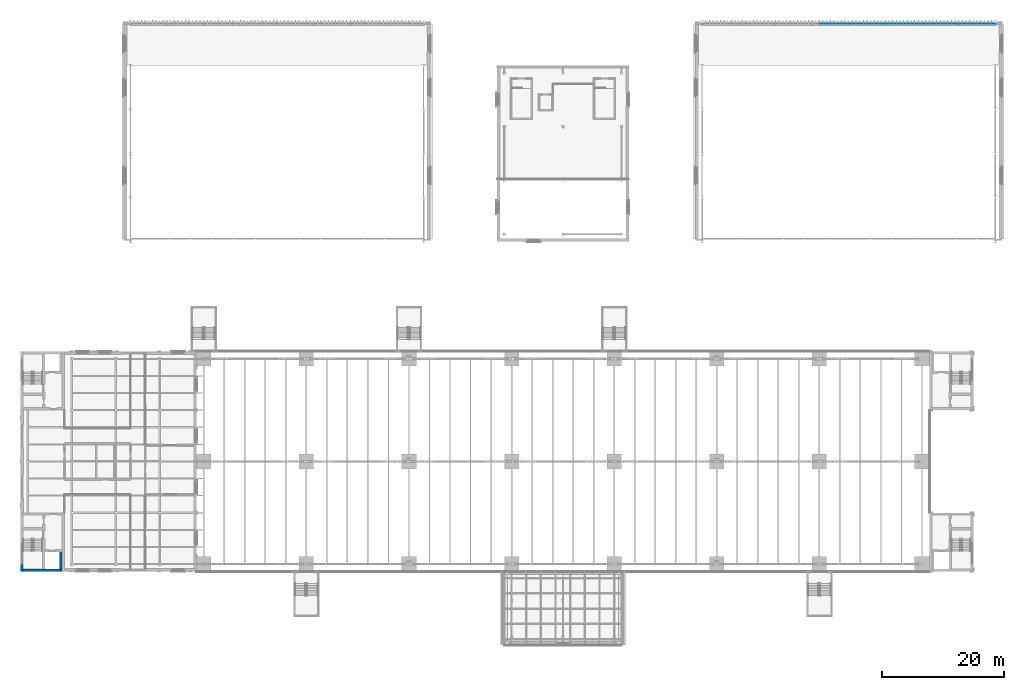
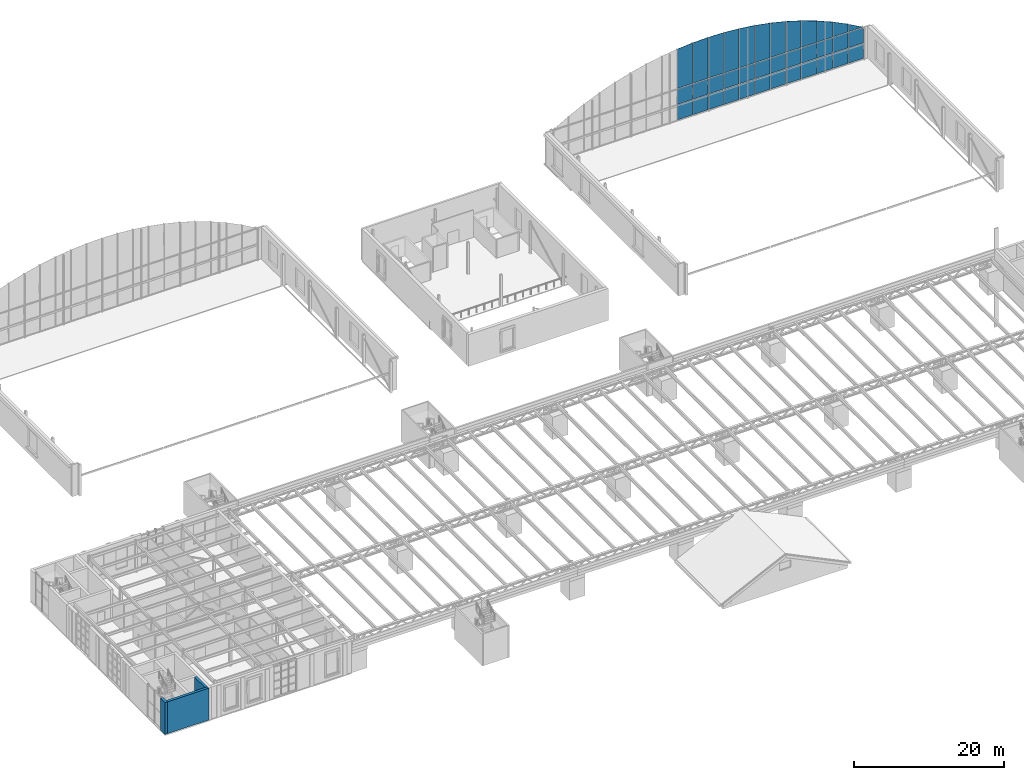
# One storey, part 53 of 93: 36 plates, 3 walls, 1 element without a shape of its own.
"""IFC4 building model written with IfcOpenShell, lengths in metres."""

from ifc_helpers import new_model, si_unit, direction, frame, frame_2d, origin, origin_2d, place, context, subcontext, project, spatial, polyline, rectangle, outline, extrude, material, layer, layer_set, type_object, element, aggregate, save


model = new_model("IFC4")

# Units and contexts
model_context = context("Model", 3, precision=1e-05, world=origin(), true_north=direction((0.0, 1.0)))
body_context = subcontext(model_context, "Body", "Model", "MODEL_VIEW")
ifc_project = project(units=[si_unit("LENGTHUNIT", "METRE"), si_unit("AREAUNIT", "SQUARE_METRE"), si_unit("VOLUMEUNIT", "CUBIC_METRE"), si_unit("PLANEANGLEUNIT", "RADIAN"), si_unit("MASSUNIT", "GRAM", prefix="KILO")], contexts=[model_context])

# Site, building, storey
site_placement = place(None, origin())
site = spatial("IfcSite", under=ifc_project, at=site_placement, CompositionType="ELEMENT")
building_placement = place(site_placement, origin())
building = spatial("IfcBuilding", under=site, at=building_placement, Name="Verrick Yard Athletic Hall", CompositionType="ELEMENT")
storey_placement = place(building_placement, frame((0.0, 0.0, 8.800048828125)))
storey = spatial("IfcBuildingStorey", under=building, at=storey_placement, Name="L02", CompositionType="ELEMENT", Elevation=8.800048828125)

# Curtain wall, plates
ifc_material_1 = material(Name="Anodised aluminium", Category="aluminium")
ifc_layer_1 = layer(ifc_material_1, 0.199951171875)
ifc_layer_set_1 = layer_set([ifc_layer_1], Name="Gable glazing")
curtain_wall_type = type_object("IfcCurtainWallType", Name="Gable glazing", PredefinedType="NOTDEFINED", material=ifc_layer_set_1)
curtain_wall_placement = place(storey_placement, origin())
curtain_wall = element("IfcCurtainWall", 1, at=curtain_wall_placement, inside=storey, type_object=curtain_wall_type, Name="Gable curtain wall AN", PredefinedType="NOTDEFINED")
ifc_material_2 = material(Name="Glass IGU low-e", Category="glass")
ifc_layer_2 = layer(ifc_material_2, 0.03125)
ifc_layer_set_2 = layer_set([ifc_layer_2], Name="Glazing panel 31")
plate_type = type_object("IfcPlateType", Name="Glazing panel 31", PredefinedType="CURTAIN_PANEL", material=ifc_layer_set_2)
plate_1_placement = place(storey_placement, frame((142.0, 107.681640625, 0.119873046875), z_axis=(0.0, 0.0, 1.0), x_axis=(1.0, 0.0, 0.0)))
plate_1 = element("IfcPlate", 2, at=plate_1_placement, type_object=plate_type, Name="ENVB-HAN-CW/P08-00", PredefinedType="CURTAIN_PANEL", context=body_context, shape_type="SweptSolid", body=[
    extrude(rectangle(XDim=2.340087890625, YDim=0.03125, at=origin_2d()), origin(), (0.0, 0.0, 1.0), 2.419921875),
])
plate_2_placement = place(storey_placement, frame((142.0, 107.681640625, 2.659912109375), z_axis=(0.0, 0.0, 1.0), x_axis=(1.0, 0.0, 0.0)))
plate_2 = element("IfcPlate", 3, at=plate_2_placement, type_object=plate_type, Name="ENVB-HAN-CW/P08-01", PredefinedType="CURTAIN_PANEL", context=body_context, shape_type="SweptSolid", body=[
    extrude(rectangle(XDim=2.340087890625, YDim=0.03125, at=origin_2d()), origin(), (0.0, 0.0, 1.0), 2.47998046875),
])
plate_3_placement = place(storey_placement, frame((144.39990234375, 107.681640625, 0.119873046875), z_axis=(0.0, 0.0, 1.0), x_axis=(1.0, 0.0, 0.0)))
plate_3 = element("IfcPlate", 4, at=plate_3_placement, type_object=plate_type, Name="ENVB-HAN-CW/P09-00", PredefinedType="CURTAIN_PANEL", context=body_context, shape_type="SweptSolid", body=[
    extrude(rectangle(XDim=2.340087890625, YDim=0.03125, at=origin_2d()), origin(), (0.0, 0.0, 1.0), 2.419921875),
])
plate_4_placement = place(storey_placement, frame((144.39990234375, 107.681640625, 2.659912109375), z_axis=(0.0, 0.0, 1.0), x_axis=(1.0, 0.0, 0.0)))
plate_4 = element("IfcPlate", 5, at=plate_4_placement, type_object=plate_type, Name="ENVB-HAN-CW/P09-01", PredefinedType="CURTAIN_PANEL", context=body_context, shape_type="SweptSolid", body=[
    extrude(rectangle(XDim=2.340087890625, YDim=0.03125, at=origin_2d()), origin(), (0.0, 0.0, 1.0), 2.47998046875),
])
plate_5_placement = place(storey_placement, frame((146.800048828125, 107.681640625, 0.119873046875), z_axis=(0.0, 0.0, 1.0), x_axis=(1.0, 0.0, 0.0)))
plate_5 = element("IfcPlate", 6, at=plate_5_placement, type_object=plate_type, Name="ENVB-HAN-CW/P10-00", PredefinedType="CURTAIN_PANEL", context=body_context, shape_type="SweptSolid", body=[
    extrude(rectangle(XDim=2.340087890625, YDim=0.03125, at=origin_2d()), origin(), (0.0, 0.0, 1.0), 2.419921875),
])
plate_6_placement = place(storey_placement, frame((146.800048828125, 107.681640625, 2.659912109375), z_axis=(0.0, 0.0, 1.0), x_axis=(1.0, 0.0, 0.0)))
plate_6 = element("IfcPlate", 7, at=plate_6_placement, type_object=plate_type, Name="ENVB-HAN-CW/P10-01", PredefinedType="CURTAIN_PANEL", context=body_context, shape_type="SweptSolid", body=[
    extrude(rectangle(XDim=2.340087890625, YDim=0.03125, at=origin_2d()), origin(), (0.0, 0.0, 1.0), 2.47998046875),
])
plate_7_placement = place(storey_placement, frame((149.199951171875, 107.681640625, 0.119873046875), z_axis=(0.0, 0.0, 1.0), x_axis=(1.0, 0.0, 0.0)))
plate_7 = element("IfcPlate", 8, at=plate_7_placement, type_object=plate_type, Name="ENVB-HAN-CW/P11-00", PredefinedType="CURTAIN_PANEL", context=body_context, shape_type="SweptSolid", body=[
    extrude(rectangle(XDim=2.340087890625, YDim=0.03125, at=origin_2d()), origin(), (0.0, 0.0, 1.0), 2.419921875),
])
plate_8_placement = place(storey_placement, frame((149.199951171875, 107.681640625, 2.659912109375), z_axis=(0.0, 0.0, 1.0), x_axis=(1.0, 0.0, 0.0)))
plate_8 = element("IfcPlate", 9, at=plate_8_placement, type_object=plate_type, Name="ENVB-HAN-CW/P11-01", PredefinedType="CURTAIN_PANEL", context=body_context, shape_type="SweptSolid", body=[
    extrude(rectangle(XDim=2.340087890625, YDim=0.03125, at=origin_2d()), origin(), (0.0, 0.0, 1.0), 2.47998046875),
])
plate_9_placement = place(storey_placement, frame((151.60009765625, 107.681640625, 0.119873046875), z_axis=(0.0, 0.0, 1.0), x_axis=(1.0, 0.0, 0.0)))
plate_9 = element("IfcPlate", 10, at=plate_9_placement, type_object=plate_type, Name="ENVB-HAN-CW/P12-00", PredefinedType="CURTAIN_PANEL", context=body_context, shape_type="SweptSolid", body=[
    extrude(rectangle(XDim=2.340087890625, YDim=0.03125, at=origin_2d()), origin(), (0.0, 0.0, 1.0), 2.419921875),
])
plate_10_placement = place(storey_placement, frame((151.60009765625, 107.681640625, 2.659912109375), z_axis=(0.0, 0.0, 1.0), x_axis=(1.0, 0.0, 0.0)))
plate_10 = element("IfcPlate", 11, at=plate_10_placement, type_object=plate_type, Name="ENVB-HAN-CW/P12-01", PredefinedType="CURTAIN_PANEL", context=body_context, shape_type="SweptSolid", body=[
    extrude(rectangle(XDim=2.340087890625, YDim=0.03125, at=origin_2d()), origin(), (0.0, 0.0, 1.0), 2.47998046875),
])
plate_11_placement = place(storey_placement, frame((154.0, 107.681640625, 0.119873046875), z_axis=(0.0, 0.0, 1.0), x_axis=(1.0, 0.0, 0.0)))
plate_11 = element("IfcPlate", 12, at=plate_11_placement, type_object=plate_type, Name="ENVB-HAN-CW/P13-00", PredefinedType="CURTAIN_PANEL", context=body_context, shape_type="SweptSolid", body=[
    extrude(rectangle(XDim=2.340087890625, YDim=0.03125, at=origin_2d()), origin(), (0.0, 0.0, 1.0), 2.419921875),
])
plate_12_placement = place(storey_placement, frame((154.0, 107.681640625, 2.659912109375), z_axis=(0.0, 0.0, 1.0), x_axis=(1.0, 0.0, 0.0)))
plate_12 = element("IfcPlate", 13, at=plate_12_placement, type_object=plate_type, Name="ENVB-HAN-CW/P13-01", PredefinedType="CURTAIN_PANEL", context=body_context, shape_type="SweptSolid", body=[
    extrude(rectangle(XDim=2.340087890625, YDim=0.03125, at=origin_2d()), origin(), (0.0, 0.0, 1.0), 2.47998046875),
])
plate_13_placement = place(storey_placement, frame((156.39990234375, 107.681640625, 0.119873046875), z_axis=(0.0, 0.0, 1.0), x_axis=(1.0, 0.0, 0.0)))
plate_13 = element("IfcPlate", 14, at=plate_13_placement, type_object=plate_type, Name="ENVB-HAN-CW/P14-00", PredefinedType="CURTAIN_PANEL", context=body_context, shape_type="SweptSolid", body=[
    extrude(rectangle(XDim=2.340087890625, YDim=0.03125, at=origin_2d()), origin(), (0.0, 0.0, 1.0), 2.419921875),
])
plate_14_placement = place(storey_placement, frame((156.39990234375, 107.681640625, 2.659912109375), z_axis=(0.0, 0.0, 1.0), x_axis=(1.0, 0.0, 0.0)))
plate_14 = element("IfcPlate", 15, at=plate_14_placement, type_object=plate_type, Name="ENVB-HAN-CW/P14-01", PredefinedType="CURTAIN_PANEL", context=body_context, shape_type="SweptSolid", body=[
    extrude(rectangle(XDim=2.340087890625, YDim=0.03125, at=origin_2d()), origin(), (0.0, 0.0, 1.0), 2.47998046875),
])
plate_15_placement = place(storey_placement, frame((158.800048828125, 107.681640625, 0.119873046875), z_axis=(0.0, 0.0, 1.0), x_axis=(1.0, 0.0, 0.0)))
plate_15 = element("IfcPlate", 16, at=plate_15_placement, type_object=plate_type, Name="ENVB-HAN-CW/P15-00", PredefinedType="CURTAIN_PANEL", context=body_context, shape_type="SweptSolid", body=[
    extrude(rectangle(XDim=2.340087890625, YDim=0.03125, at=origin_2d()), origin(), (0.0, 0.0, 1.0), 2.419921875),
])
plate_16_placement = place(storey_placement, frame((158.800048828125, 107.681640625, 2.659912109375), z_axis=(0.0, 0.0, 1.0), x_axis=(1.0, 0.0, 0.0)))
plate_16 = element("IfcPlate", 17, at=plate_16_placement, type_object=plate_type, Name="ENVB-HAN-CW/P15-01", PredefinedType="CURTAIN_PANEL", context=body_context, shape_type="SweptSolid", body=[
    extrude(rectangle(XDim=2.340087890625, YDim=0.03125, at=origin_2d()), origin(), (0.0, 0.0, 1.0), 2.47998046875),
])
plate_17_placement = place(storey_placement, frame((161.199951171875, 107.681640625, 0.119873046875), z_axis=(0.0, 0.0, 1.0), x_axis=(1.0, 0.0, 0.0)))
plate_17 = element("IfcPlate", 18, at=plate_17_placement, type_object=plate_type, Name="ENVB-HAN-CW/P16-00", PredefinedType="CURTAIN_PANEL", context=body_context, shape_type="SweptSolid", body=[
    extrude(rectangle(XDim=2.340087890625, YDim=0.03125, at=origin_2d()), origin(), (0.0, 0.0, 1.0), 2.419921875),
])
plate_18_placement = place(storey_placement, frame((161.199951171875, 107.681640625, 2.659912109375), z_axis=(0.0, 0.0, 1.0), x_axis=(1.0, 0.0, 0.0)))
plate_18 = element("IfcPlate", 19, at=plate_18_placement, type_object=plate_type, Name="ENVB-HAN-CW/P16-01", PredefinedType="CURTAIN_PANEL", context=body_context, shape_type="SweptSolid", body=[
    extrude(rectangle(XDim=2.340087890625, YDim=0.03125, at=origin_2d()), origin(), (0.0, 0.0, 1.0), 2.47998046875),
])
plate_19_placement = place(storey_placement, frame((163.60009765625, 107.681640625, 0.119873046875), z_axis=(0.0, 0.0, 1.0), x_axis=(1.0, 0.0, 0.0)))
plate_19 = element("IfcPlate", 20, at=plate_19_placement, type_object=plate_type, Name="ENVB-HAN-CW/P17-00", PredefinedType="CURTAIN_PANEL", context=body_context, shape_type="SweptSolid", body=[
    extrude(rectangle(XDim=2.340087890625, YDim=0.03125, at=origin_2d()), origin(), (0.0, 0.0, 1.0), 2.419921875),
])
plate_20_placement = place(storey_placement, frame((163.60009765625, 107.681640625, 2.659912109375), z_axis=(0.0, 0.0, 1.0), x_axis=(1.0, 0.0, 0.0)))
plate_20 = element("IfcPlate", 21, at=plate_20_placement, type_object=plate_type, Name="ENVB-HAN-CW/P17-01", PredefinedType="CURTAIN_PANEL", context=body_context, shape_type="SweptSolid", body=[
    extrude(rectangle(XDim=2.340087890625, YDim=0.03125, at=origin_2d()), origin(), (0.0, 0.0, 1.0), 2.47998046875),
])
plate_21_placement = place(storey_placement, frame((166.0, 107.681640625, 0.119873046875), z_axis=(0.0, 0.0, 1.0), x_axis=(1.0, 0.0, 0.0)))
plate_21 = element("IfcPlate", 22, at=plate_21_placement, type_object=plate_type, Name="ENVB-HAN-CW/P18-00", PredefinedType="CURTAIN_PANEL", context=body_context, shape_type="SweptSolid", body=[
    extrude(rectangle(XDim=2.340087890625, YDim=0.03125, at=origin_2d()), origin(), (0.0, 0.0, 1.0), 2.419921875),
])
plate_22_placement = place(storey_placement, frame((166.0, 107.681640625, 2.659912109375), z_axis=(0.0, 0.0, 1.0), x_axis=(1.0, 0.0, 0.0)))
plate_22 = element("IfcPlate", 23, at=plate_22_placement, type_object=plate_type, Name="ENVB-HAN-CW/P18-01", PredefinedType="CURTAIN_PANEL", context=body_context, shape_type="SweptSolid", body=[
    extrude(rectangle(XDim=2.340087890625, YDim=0.03125, at=origin_2d()), origin(), (0.0, 0.0, 1.0), 2.47998046875),
])
plate_23_placement = place(storey_placement, frame((168.39990234375, 107.681640625, 0.119873046875), z_axis=(0.0, 0.0, 1.0), x_axis=(1.0, 0.0, 0.0)))
plate_23 = element("IfcPlate", 24, at=plate_23_placement, type_object=plate_type, Name="ENVB-HAN-CW/P19-00", PredefinedType="CURTAIN_PANEL", context=body_context, shape_type="SweptSolid", body=[
    extrude(rectangle(XDim=2.340087890625, YDim=0.03125, at=origin_2d()), origin(), (0.0, 0.0, 1.0), 2.419921875),
])
plate_24_placement = place(storey_placement, frame((168.39990234375, 107.681640625, 2.659912109375), z_axis=(0.0, 0.0, 1.0), x_axis=(1.0, 0.0, 0.0)))
plate_24 = element("IfcPlate", 25, at=plate_24_placement, type_object=plate_type, Name="ENVB-HAN-CW/P19-01", PredefinedType="CURTAIN_PANEL", context=body_context, shape_type="SweptSolid", body=[
    extrude(rectangle(XDim=2.340087890625, YDim=0.03125, at=origin_2d()), origin(), (0.0, 0.0, 1.0), 2.47998046875),
])
plate_25_placement = place(storey_placement, frame((140.830078125, 107.681640625, 5.260009765625), z_axis=(0.0, 0.0, 1.0), x_axis=(1.0, 0.0, 0.0)))
plate_25 = element("IfcPlate", 26, at=plate_25_placement, type_object=plate_type, Name="ENVB-HAN-CW/PA08", PredefinedType="CURTAIN_PANEL", context=body_context, shape_type="SweptSolid", body=[
    extrude(outline(polyline([(0.0, 6.418212890625), (2.340087890625, 6.60205078125), (2.340087890625, 0.0), (0.0, 0.0), (0.0, 6.418212890625)])), frame((0.0, 0.015625, 0.0), z_axis=(0.0, -1.0, 0.0), x_axis=(1.0, 0.0, 0.0)), (0.0, 0.0, 1.0), 0.03125),
])
plate_26_placement = place(storey_placement, frame((143.22998046875, 107.681640625, 5.260009765625), z_axis=(0.0, 0.0, 1.0), x_axis=(1.0, 0.0, 0.0)))
plate_26 = element("IfcPlate", 27, at=plate_26_placement, type_object=plate_type, Name="ENVB-HAN-CW/PA09", PredefinedType="CURTAIN_PANEL", context=body_context, shape_type="SweptSolid", body=[
    extrude(outline(polyline([(0.0, 6.605224609375), (2.340087890625, 6.666259765625), (2.340087890625, 0.0), (0.0, 0.0), (0.0, 6.605224609375)])), frame((0.0, 0.015625, 0.0), z_axis=(0.0, -1.0, 0.0), x_axis=(1.0, 0.0, 0.0)), (0.0, 0.0, 1.0), 0.03125),
])
plate_27_placement = place(storey_placement, frame((145.6298828125, 107.681640625, 5.260009765625), z_axis=(0.0, 0.0, 1.0), x_axis=(1.0, 0.0, 0.0)))
plate_27 = element("IfcPlate", 28, at=plate_27_placement, type_object=plate_type, Name="ENVB-HAN-CW/PA10", PredefinedType="CURTAIN_PANEL", context=body_context, shape_type="SweptSolid", body=[
    extrude(outline(polyline([(0.0, 6.666259765625), (2.340087890625, 6.605224609375), (2.340087890625, 0.0), (0.0, 0.0), (0.0, 6.666259765625)])), frame((0.0, 0.015625, 0.0), z_axis=(0.0, -1.0, 0.0), x_axis=(1.0, 0.0, 0.0)), (0.0, 0.0, 1.0), 0.03125),
])
plate_28_placement = place(storey_placement, frame((148.030029296875, 107.681640625, 5.260009765625), z_axis=(0.0, 0.0, 1.0), x_axis=(1.0, 0.0, 0.0)))
plate_28 = element("IfcPlate", 29, at=plate_28_placement, type_object=plate_type, Name="ENVB-HAN-CW/PA11", PredefinedType="CURTAIN_PANEL", context=body_context, shape_type="SweptSolid", body=[
    extrude(outline(polyline([(0.0, 6.60205078125), (2.340087890625, 6.418212890625), (2.340087890625, 0.0), (0.0, 0.0), (0.0, 6.60205078125)])), frame((0.0, 0.015625, 0.0), z_axis=(0.0, -1.0, 0.0), x_axis=(1.0, 0.0, 0.0)), (0.0, 0.0, 1.0), 0.03125),
])
plate_29_placement = place(storey_placement, frame((150.429931640625, 107.681640625, 5.260009765625), z_axis=(0.0, 0.0, 1.0), x_axis=(1.0, 0.0, 0.0)))
plate_29 = element("IfcPlate", 30, at=plate_29_placement, type_object=plate_type, Name="ENVB-HAN-CW/PA12", PredefinedType="CURTAIN_PANEL", context=body_context, shape_type="SweptSolid", body=[
    extrude(outline(polyline([(0.0, 6.41162109375), (2.340087890625, 6.103759765625), (2.340087890625, 0.0), (0.0, 0.0), (0.0, 6.41162109375)])), frame((0.0, 0.015625, 0.0), z_axis=(0.0, -1.0, 0.0), x_axis=(1.0, 0.0, 0.0)), (0.0, 0.0, 1.0), 0.03125),
])
plate_30_placement = place(storey_placement, frame((152.830078125, 107.681640625, 5.260009765625), z_axis=(0.0, 0.0, 1.0), x_axis=(1.0, 0.0, 0.0)))
plate_30 = element("IfcPlate", 31, at=plate_30_placement, type_object=plate_type, Name="ENVB-HAN-CW/PA13", PredefinedType="CURTAIN_PANEL", context=body_context, shape_type="SweptSolid", body=[
    extrude(outline(polyline([(0.0, 6.093994140625), (2.340087890625, 5.6591796875), (2.340087890625, 0.0), (0.0, 0.0), (0.0, 6.093994140625)])), frame((0.0, 0.015625, 0.0), z_axis=(0.0, -1.0, 0.0), x_axis=(1.0, 0.0, 0.0)), (0.0, 0.0, 1.0), 0.03125),
])
plate_31_placement = place(storey_placement, frame((155.22998046875, 107.681640625, 5.260009765625), z_axis=(0.0, 0.0, 1.0), x_axis=(1.0, 0.0, 0.0)))
plate_31 = element("IfcPlate", 32, at=plate_31_placement, type_object=plate_type, Name="ENVB-HAN-CW/PA14", PredefinedType="CURTAIN_PANEL", context=body_context, shape_type="SweptSolid", body=[
    extrude(outline(polyline([(0.0, 5.646240234375), (2.340087890625, 5.080810546875), (2.340087890625, 0.0), (0.0, 0.0), (0.0, 5.646240234375)])), frame((0.0, 0.015625, 0.0), z_axis=(0.0, -1.0, 0.0), x_axis=(1.0, 0.0, 0.0)), (0.0, 0.0, 1.0), 0.03125),
])
plate_32_placement = place(storey_placement, frame((157.6298828125, 107.681640625, 5.260009765625), z_axis=(0.0, 0.0, 1.0), x_axis=(1.0, 0.0, 0.0)))
plate_32 = element("IfcPlate", 33, at=plate_32_placement, type_object=plate_type, Name="ENVB-HAN-CW/PA15", PredefinedType="CURTAIN_PANEL", context=body_context, shape_type="SweptSolid", body=[
    extrude(outline(polyline([(0.0, 5.06396484375), (2.340087890625, 4.36279296875), (2.340087890625, 0.0), (0.0, 0.0), (0.0, 5.06396484375)])), frame((0.0, 0.015625, 0.0), z_axis=(0.0, -1.0, 0.0), x_axis=(1.0, 0.0, 0.0)), (0.0, 0.0, 1.0), 0.03125),
])
plate_33_placement = place(storey_placement, frame((160.030029296875, 107.681640625, 5.260009765625), z_axis=(0.0, 0.0, 1.0), x_axis=(1.0, 0.0, 0.0)))
plate_33 = element("IfcPlate", 34, at=plate_33_placement, type_object=plate_type, Name="ENVB-HAN-CW/PA16", PredefinedType="CURTAIN_PANEL", context=body_context, shape_type="SweptSolid", body=[
    extrude(outline(polyline([(0.0, 4.34228515625), (2.340087890625, 3.49853515625), (2.340087890625, 0.0), (0.0, 0.0), (0.0, 4.34228515625)])), frame((0.0, 0.015625, 0.0), z_axis=(0.0, -1.0, 0.0), x_axis=(1.0, 0.0, 0.0)), (0.0, 0.0, 1.0), 0.03125),
])
plate_34_placement = place(storey_placement, frame((162.429931640625, 107.681640625, 5.260009765625), z_axis=(0.0, 0.0, 1.0), x_axis=(1.0, 0.0, 0.0)))
plate_34 = element("IfcPlate", 35, at=plate_34_placement, type_object=plate_type, Name="ENVB-HAN-CW/PA17", PredefinedType="CURTAIN_PANEL", context=body_context, shape_type="SweptSolid", body=[
    extrude(outline(polyline([(0.0, 3.47412109375), (2.340087890625, 2.478759765625), (2.340087890625, 0.0), (0.0, 0.0), (0.0, 3.47412109375)])), frame((0.0, 0.015625, 0.0), z_axis=(0.0, -1.0, 0.0), x_axis=(1.0, 0.0, 0.0)), (0.0, 0.0, 1.0), 0.03125),
])
plate_35_placement = place(storey_placement, frame((164.830078125, 107.681640625, 5.260009765625), z_axis=(0.0, 0.0, 1.0), x_axis=(1.0, 0.0, 0.0)))
plate_35 = element("IfcPlate", 36, at=plate_35_placement, type_object=plate_type, Name="ENVB-HAN-CW/PA18", PredefinedType="CURTAIN_PANEL", context=body_context, shape_type="SweptSolid", body=[
    extrude(outline(polyline([(0.0, 2.4501953125), (2.340087890625, 1.291748046875), (2.340087890625, 0.0), (0.0, 0.0), (0.0, 2.4501953125)])), frame((0.0, 0.015625, 0.0), z_axis=(0.0, -1.0, 0.0), x_axis=(1.0, 0.0, 0.0)), (0.0, 0.0, 1.0), 0.03125),
])
plate_36_placement = place(storey_placement, frame((167.22998046875, 107.681640625, 5.260009765625), z_axis=(0.0, 0.0, 1.0), x_axis=(1.0, 0.0, 0.0)))
plate_36 = element("IfcPlate", 37, at=plate_36_placement, type_object=plate_type, Name="ENVB-HAN-CW/PA19", PredefinedType="CURTAIN_PANEL", context=body_context, shape_type="SweptSolid", body=[
    extrude(outline(polyline([(0.0, 1.2587890625), (2.204345703125, 0.0), (0.0, 0.0), (0.0, 1.2587890625)])), frame((0.0, 0.015625, 0.0), z_axis=(0.0, -1.0, 0.0), x_axis=(1.0, 0.0, 0.0)), (0.0, 0.0, 1.0), 0.03125),
])
aggregate(curtain_wall, [plate_1, plate_2, plate_3, plate_4, plate_5, plate_6, plate_7, plate_8, plate_9, plate_10, plate_11, plate_12, plate_13, plate_14, plate_15, plate_16, plate_17, plate_18, plate_19, plate_20, plate_21, plate_22, plate_23, plate_24, plate_25, plate_26, plate_27, plate_28, plate_29, plate_30, plate_31, plate_32, plate_33, plate_34, plate_35, plate_36])

# Walls
ifc_material_3 = material(Name="Concrete 35 MPa", Category="concrete")
ifc_layer_3 = layer(ifc_material_3, 0.39990234375)
ifc_layer_set_3 = layer_set([ifc_layer_3], Name="Core wall CR400")
wall_type_1 = type_object("IfcWallType", Name="Core wall CR400", PredefinedType="SHEAR", material=ifc_layer_set_3)
wall_1_placement = place(storey_placement, frame((16.60009765625, 18.39990234375, 0.0), z_axis=(0.0, 0.0, 1.0), x_axis=(0.0, 1.0, 0.0)))
element("IfcWall", 38, at=wall_1_placement, inside=storey, type_object=wall_type_1, Name="CORE-CB1-WLE-L02", PredefinedType="SHEAR", context=body_context, shape_type="SweptSolid", body=[
    extrude(rectangle(XDim=2.800048828125, YDim=0.39990234375, at=frame_2d((1.39990234375, 0.0))), origin(), (0.0, 0.0, 1.0), 5.199951171875),
])
ifc_layer_4 = layer(ifc_material_3, 0.39990234375)
ifc_layer_set_4 = layer_set([ifc_layer_4], Name="External core wall CR400")
wall_type_2 = type_object("IfcWallType", Name="External core wall CR400", PredefinedType="SHEAR", material=ifc_layer_set_4)
wall_2_placement = place(storey_placement, frame((10.199951171875, 18.0, 0.0), z_axis=(0.0, 0.0, 1.0), x_axis=(0.0, 1.0, 0.0)))
element("IfcWall", 39, at=wall_2_placement, inside=storey, type_object=wall_type_2, Name="CORE-CB1-WW-L02-0", PredefinedType="SHEAR", context=body_context, shape_type="SweptSolid", body=[
    extrude(rectangle(XDim=1.199951171875, YDim=0.39990234375, at=frame_2d((0.60009765625, 0.0))), origin(), (0.0, 0.0, 1.0), 5.199951171875),
])
wall_3_placement = place(storey_placement, frame((10.39990234375, 18.199951171875, 0.0), z_axis=(0.0, 0.0, 1.0), x_axis=(1.0, 0.0, 0.0)))
element("IfcWall", 40, at=wall_3_placement, inside=storey, type_object=wall_type_2, Name="CORE-CB1-WS-L02", PredefinedType="SHEAR", context=body_context, shape_type="SweptSolid", body=[
    extrude(rectangle(XDim=6.400146484375, YDim=0.39990234375, at=frame_2d((3.2001953125, 0.0))), origin(), (0.0, 0.0, 1.0), 5.199951171875),
])

save(model, "model.ifc")
